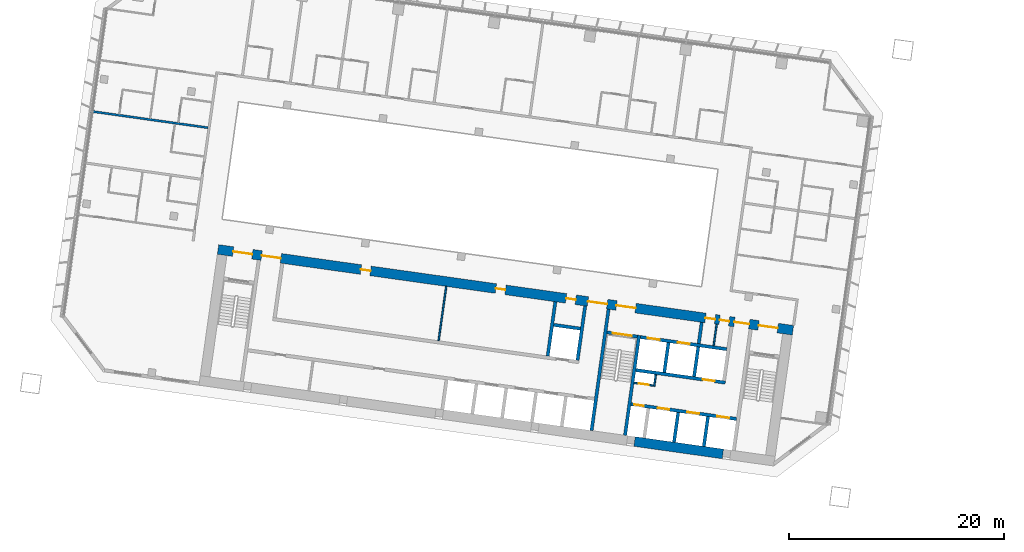
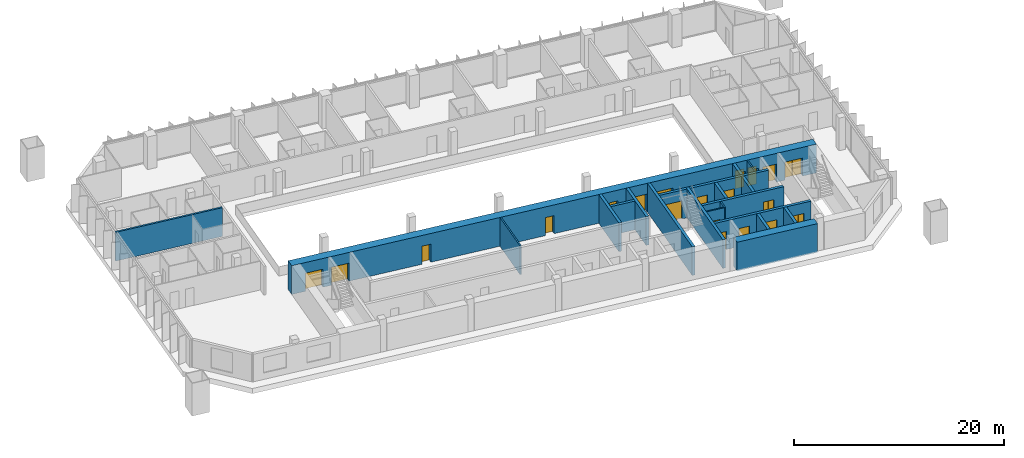
# One storey, part 15 of 25: 21 walls, 20 doors, 20 openings.
"""IFC4 building model written with IfcOpenShell, lengths in metres."""

from ifc_helpers import new_model, si_unit, direction, frame, frame_2d, origin, place, context, subcontext, project, spatial, rectangle, extrude, material, layer, layer_set, type_object, element, fill, save


model = new_model("IFC4")

# Units and contexts
model_context = context("Model", 3, precision=1e-05, world=origin(), true_north=direction((0.0, 1.0)))
body_context = subcontext(model_context, "Body", "Model", "MODEL_VIEW")
ifc_project = project(units=[si_unit("LENGTHUNIT", "METRE"), si_unit("AREAUNIT", "SQUARE_METRE"), si_unit("VOLUMEUNIT", "CUBIC_METRE"), si_unit("PLANEANGLEUNIT", "RADIAN"), si_unit("MASSUNIT", "GRAM", prefix="KILO")], contexts=[model_context])

# Site, building, storey
site_placement = place(None, origin())
site = spatial("IfcSite", under=ifc_project, at=site_placement, CompositionType="ELEMENT")
building_placement = place(site_placement, origin())
building = spatial("IfcBuilding", under=site, at=building_placement, Name="Mirante Cascada Hotel Towers", CompositionType="ELEMENT")
storey_placement = place(building_placement, frame((0.0, 0.0, 73.7)))
storey = spatial("IfcBuildingStorey", under=building, at=storey_placement, Name="L15", CompositionType="ELEMENT", Elevation=73.7)

# Walls
ifc_material_1 = material(Name="Fire-rated plasterboard on metal studs")
ifc_layer_1 = layer(ifc_material_1, 0.2)
ifc_layer_set_1 = layer_set([ifc_layer_1], Name="Compartment wall 200 EI 120")
wall_type_1 = type_object("IfcWallType", Name="Compartment wall 200 EI 120", PredefinedType="PARTITIONING", material=ifc_layer_set_1)
wall_1_placement = place(storey_placement, frame((-89.7337, 11.2758, 0.0), z_axis=(0.0, 0.0, 1.0), x_axis=(-0.990268, 0.1391733, 0.0)))
element("IfcWall", 1, at=wall_1_placement, inside=storey, type_object=wall_type_1, Name="Wall 1-L15-12", PredefinedType="PARTITIONING", context=body_context, shape_type="SweptSolid", body=[
    extrude(rectangle(XDim=11.0, YDim=0.2, at=frame_2d((5.5, 0.0))), origin(), (0.0, 0.0, 1.0), 3.35),
])
ifc_material_2 = material(Name="Masonry block", Category="masonry")
ifc_layer_2 = layer(ifc_material_2, 0.15)
ifc_layer_set_2 = layer_set([ifc_layer_2], Name="Core room partition 150 block EI 30")
wall_type_2 = type_object("IfcWallType", Name="Core room partition 150 block EI 30", PredefinedType="PARTITIONING", material=ifc_layer_set_2)
wall_2_placement = place(storey_placement, frame((-48.2295, -12.793, 0.0), z_axis=(0.0, 0.0, 1.0), x_axis=(0.1391935, 0.9902652, 0.0)))
element("IfcWall", 2, at=wall_2_placement, inside=storey, type_object=wall_type_2, Name="Core wall partition T1 L15 2", PredefinedType="PARTITIONING", context=body_context, shape_type="SweptSolid", body=[
    extrude(rectangle(XDim=1.1251, YDim=0.15, at=frame_2d((0.5626, 0.0))), origin(), (0.0, 0.0, 1.0), 3.35),
])

# Wall, opening, door
wall_3_placement = place(storey_placement, frame((-48.2933, -12.7083, 0.0), z_axis=(0.0, 0.0, 1.0), x_axis=(-0.990268, 0.1391734, 0.0)))
wall_3 = element("IfcWall", 3, at=wall_3_placement, inside=storey, type_object=wall_type_2, Name="Core wall partition T1 L15 3", PredefinedType="PARTITIONING", context=body_context, shape_type="SweptSolid", body=[
    extrude(rectangle(XDim=1.8251, YDim=0.15, at=frame_2d((0.9126, 0.0))), origin(), (0.0, 0.0, 1.0), 3.35),
])
opening_1_placement = place(wall_3_placement, frame((0.4625, 0.0, 0.0)))
opening_1 = element("IfcOpeningElement", 4, at=opening_1_placement, cuts=wall_3, Name="Opening D1-15-C23", PredefinedType="OPENING", context=body_context, shape_type="SweptSolid", body=[
    extrude(rectangle(XDim=0.9, YDim=2.1, at=frame_2d((0.45, 1.05))), frame((0.0, 0.075, 0.0), z_axis=(0.0, -1.0, 0.0), x_axis=(1.0, 0.0, 0.0)), (0.0, 0.0, 1.0), 0.15),
])
ifc_material_3 = material(Name="Hollow metal fire door leaf")
door_type_1 = type_object("IfcDoorType", Name="Fire door 900x2100 FD60", OperationType="NOTDEFINED", PredefinedType="DOOR", material=ifc_material_3)
door_1_placement = place(opening_1_placement, origin())
door_1 = element("IfcDoor", 5, at=door_1_placement, inside=storey, type_object=door_type_1, Name="Riser door T1 L15 23", OperationType="SINGLE_SWING_LEFT", OverallHeight=2.1, OverallWidth=0.9, PredefinedType="DOOR", context=body_context, shape_type="SweptSolid", body=[
    extrude(rectangle(XDim=0.9, YDim=2.1, at=frame_2d((0.45, 1.05))), frame((0.0, 0.025, 0.0), z_axis=(0.0, -1.0, 0.0), x_axis=(1.0, 0.0, 0.0)), (0.0, 0.0, 1.0), 0.05),
])
fill(opening_1, door_1)

# Walls
wall_4_placement = place(storey_placement, frame((-42.6979, -9.0009, 0.0), z_axis=(0.0, 0.0, 1.0), x_axis=(0.1391529, 0.9902709, 0.0)))
element("IfcWall", 6, at=wall_4_placement, inside=storey, type_object=wall_type_2, Name="Core wall partition T1 L15 4", PredefinedType="PARTITIONING", context=body_context, shape_type="SweptSolid", body=[
    extrude(rectangle(XDim=2.0, YDim=0.15, at=frame_2d((1.0, 0.0))), origin(), (0.0, 0.0, 1.0), 3.35),
])
wall_5_placement = place(storey_placement, frame((-68.2822, -8.5358, 0.0), z_axis=(0.0, 0.0, 1.0), x_axis=(0.1391755, 0.9902677, 0.0)))
element("IfcWall", 7, at=wall_5_placement, inside=storey, type_object=wall_type_2, Name="Core wall partition T1 L15 6", PredefinedType="PARTITIONING", context=body_context, shape_type="SweptSolid", body=[
    extrude(rectangle(XDim=5.1, YDim=0.15, at=frame_2d((2.55, 0.0))), origin(), (0.0, 0.0, 1.0), 3.35),
])
ifc_material_4 = material(Name="Masonry block", Category="masonry")
ifc_layer_3 = layer(ifc_material_4, 0.3)
ifc_layer_set_3 = layer_set([ifc_layer_3], Name="Core wall 300 block EI 120")
wall_type_3 = type_object("IfcWallType", Name="Core wall 300 block EI 120", PredefinedType="PARTITIONING", material=ifc_layer_set_3)
wall_6_placement = place(storey_placement, frame((-44.0843, -8.8061, 0.0), z_axis=(0.0, 0.0, 1.0), x_axis=(0.1391951, 0.990265, 0.0)))
element("IfcWall", 8, at=wall_6_placement, inside=storey, type_object=wall_type_3, Name="Core wall partition T1 L15 1", PredefinedType="PARTITIONING", context=body_context, shape_type="SweptSolid", body=[
    extrude(rectangle(XDim=2.0001, YDim=0.3, at=frame_2d((1.0001, 0.0))), origin(), (0.0, 0.0, 1.0), 3.35),
])
ifc_material_5 = material(Name="Concrete C50/60", Category="concrete")
ifc_layer_4 = layer(ifc_material_5, 0.3)
ifc_layer_set_4 = layer_set([ifc_layer_4], Name="RC core wall 300 C50/60")
wall_type_4 = type_object("IfcWallType", Name="RC core wall 300 C50/60", PredefinedType="SHEAR", material=ifc_layer_set_4)
wall_7_placement = place(storey_placement, frame((-50.938, -17.3352, 0.0), z_axis=(0.0, 0.0, 1.0), x_axis=(0.1391706, 0.9902684, 0.0)))
element("IfcWall", 9, at=wall_7_placement, inside=storey, type_object=wall_type_4, Name="Core wall T1:L15:6", PredefinedType="SHEAR", context=body_context, shape_type="SweptSolid", body=[
    extrude(rectangle(XDim=9.4, YDim=0.3, at=frame_2d((4.7, 0.0))), origin(), (0.0, 0.0, 1.0), 3.35),
])
wall_8_placement = place(storey_placement, frame((-54.0574, -16.8968, 0.0), z_axis=(0.0, 0.0, 1.0), x_axis=(0.1391761, 0.9902677, 0.0)))
element("IfcWall", 10, at=wall_8_placement, inside=storey, type_object=wall_type_4, Name="Core wall T1:L15:7", PredefinedType="SHEAR", context=body_context, shape_type="SweptSolid", body=[
    extrude(rectangle(XDim=11.3999, YDim=0.3, at=frame_2d((5.7, 0.0))), origin(), (0.0, 0.0, 1.0), 3.35),
])

# Wall, opening, door
wall_9_placement = place(storey_placement, frame((-49.7992, -8.1544, 0.0), z_axis=(0.0, 0.0, 1.0), x_axis=(-0.9902656, 0.1391909, 0.0)))
wall_9 = element("IfcWall", 11, at=wall_9_placement, inside=storey, type_object=wall_type_4, Name="Core wall T1:L15:10", PredefinedType="SHEAR", context=body_context, shape_type="SweptSolid", body=[
    extrude(rectangle(XDim=2.85, YDim=0.3, at=frame_2d((1.425, 0.0))), origin(), (0.0, 0.0, 1.0), 3.35),
])
opening_2_placement = place(wall_9_placement, frame((0.525, 0.0, 0.0)))
opening_2 = element("IfcOpeningElement", 12, at=opening_2_placement, cuts=wall_9, Name="Opening D1-15-C15", PredefinedType="OPENING", context=body_context, shape_type="SweptSolid", body=[
    extrude(rectangle(XDim=1.8, YDim=2.1, at=frame_2d((0.9, 1.05))), frame((0.0, 0.15, 0.0), z_axis=(0.0, -1.0, 0.0), x_axis=(1.0, 0.0, 0.0)), (0.0, 0.0, 1.0), 0.3),
])
ifc_material_6 = material(Name="Hollow metal fire door leaf")
door_type_2 = type_object("IfcDoorType", Name="Double fire door 1800x2100 FD60", OperationType="DOUBLE_DOOR_SINGLE_SWING", PredefinedType="DOOR", material=ifc_material_6)
door_2_placement = place(opening_2_placement, origin())
door_2 = element("IfcDoor", 13, at=door_2_placement, inside=storey, type_object=door_type_2, Name="Stair door T1 L15 15", OperationType="DOUBLE_DOOR_SINGLE_SWING", OverallHeight=2.1, OverallWidth=1.8, PredefinedType="DOOR", context=body_context, shape_type="SweptSolid", body=[
    extrude(rectangle(XDim=0.895, YDim=2.1, at=frame_2d((0.4475, 1.05))), frame((0.0, 0.025, 0.0), z_axis=(0.0, -1.0, 0.0), x_axis=(1.0, 0.0, 0.0)), (0.0, 0.0, 1.0), 0.05),
    extrude(rectangle(XDim=0.895, YDim=2.1, at=frame_2d((1.3525, 1.05))), frame((0.0, 0.025, 0.0), z_axis=(0.0, -1.0, 0.0), x_axis=(1.0, 0.0, 0.0)), (0.0, 0.0, 1.0), 0.05),
])
fill(opening_2, door_2)

# Wall, openings, doors
wall_10_placement = place(storey_placement, frame((-40.5753, -15.8126, 0.0), z_axis=(0.0, 0.0, 1.0), x_axis=(-0.9902682, 0.1391725, 0.0)))
wall_10 = element("IfcWall", 14, at=wall_10_placement, inside=storey, type_object=wall_type_4, Name="Core wall T1:L15:12", PredefinedType="SHEAR", context=body_context, shape_type="SweptSolid", body=[
    extrude(rectangle(XDim=9.8999, YDim=0.3, at=frame_2d((4.95, 0.0))), origin(), (0.0, 0.0, 1.0), 3.35),
])
opening_3_placement = place(wall_10_placement, frame((0.7, 0.0, 0.0)))
opening_3 = element("IfcOpeningElement", 15, at=opening_3_placement, cuts=wall_10, Name="Opening LD", PredefinedType="OPENING", context=body_context, shape_type="SweptSolid", body=[
    extrude(rectangle(XDim=1.1, YDim=2.1, at=frame_2d((0.55, 1.05))), frame((0.0, 0.15, 0.0), z_axis=(0.0, -1.0, 0.0), x_axis=(1.0, 0.0, 0.0)), (0.0, 0.0, 1.0), 0.3),
])
opening_4_placement = place(wall_10_placement, frame((3.5, 0.0, 0.0)))
opening_4 = element("IfcOpeningElement", 16, at=opening_4_placement, cuts=wall_10, Name="Opening LD", PredefinedType="OPENING", context=body_context, shape_type="SweptSolid", body=[
    extrude(rectangle(XDim=1.1, YDim=2.1, at=frame_2d((0.55, 1.05))), frame((0.0, 0.15, 0.0), z_axis=(0.0, -1.0, 0.0), x_axis=(1.0, 0.0, 0.0)), (0.0, 0.0, 1.0), 0.3),
])
opening_5_placement = place(wall_10_placement, frame((6.3, 0.0, 0.0)))
opening_5 = element("IfcOpeningElement", 17, at=opening_5_placement, cuts=wall_10, Name="Opening LD", PredefinedType="OPENING", context=body_context, shape_type="SweptSolid", body=[
    extrude(rectangle(XDim=1.1, YDim=2.1, at=frame_2d((0.55, 1.05))), frame((0.0, 0.15, 0.0), z_axis=(0.0, -1.0, 0.0), x_axis=(1.0, 0.0, 0.0)), (0.0, 0.0, 1.0), 0.3),
])
opening_6_placement = place(wall_10_placement, frame((8.7, 0.0, 0.0)))
opening_6 = element("IfcOpeningElement", 18, at=opening_6_placement, cuts=wall_10, Name="Opening D1-15-C22", PredefinedType="OPENING", context=body_context, shape_type="SweptSolid", body=[
    extrude(rectangle(XDim=0.9, YDim=2.1, at=frame_2d((0.45, 1.05))), frame((0.0, 0.15, 0.0), z_axis=(0.0, -1.0, 0.0), x_axis=(1.0, 0.0, 0.0)), (0.0, 0.0, 1.0), 0.3),
])
door_3_placement = place(opening_6_placement, origin())
door_3 = element("IfcDoor", 19, at=door_3_placement, inside=storey, type_object=door_type_1, Name="Riser door T1 L15 22", OperationType="SINGLE_SWING_LEFT", OverallHeight=2.1, OverallWidth=0.9, PredefinedType="DOOR", context=body_context, shape_type="SweptSolid", body=[
    extrude(rectangle(XDim=0.9, YDim=2.1, at=frame_2d((0.45, 1.05))), frame((0.0, 0.025, 0.0), z_axis=(0.0, -1.0, 0.0), x_axis=(1.0, 0.0, 0.0)), (0.0, 0.0, 1.0), 0.05),
])
fill(opening_6, door_3)
ifc_material_7 = material(Name="Stainless steel", Category="steel")
door_type_3 = type_object("IfcDoorType", Name="Lift landing door 1100x2100 EI 120", OperationType="DOUBLE_DOOR_SLIDING", PredefinedType="DOOR", material=ifc_material_7)
door_4_placement = place(opening_3_placement, origin())
door_4 = element("IfcDoor", 20, at=door_4_placement, inside=storey, type_object=door_type_3, Name="Lift landing door HR1-1 L15", OperationType="DOUBLE_DOOR_SLIDING", OverallHeight=2.1, OverallWidth=1.1, PredefinedType="DOOR", context=body_context, shape_type="SweptSolid", body=[
    extrude(rectangle(XDim=0.545, YDim=2.1, at=frame_2d((0.2725, 1.05))), frame((0.0, 0.025, 0.0), z_axis=(0.0, -1.0, 0.0), x_axis=(1.0, 0.0, 0.0)), (0.0, 0.0, 1.0), 0.05),
    extrude(rectangle(XDim=0.545, YDim=2.1, at=frame_2d((0.8275, 1.05))), frame((0.0, 0.025, 0.0), z_axis=(0.0, -1.0, 0.0), x_axis=(1.0, 0.0, 0.0)), (0.0, 0.0, 1.0), 0.05),
])
fill(opening_3, door_4)
door_5_placement = place(opening_4_placement, origin())
door_5 = element("IfcDoor", 21, at=door_5_placement, inside=storey, type_object=door_type_3, Name="Lift landing door HR1-2 L15", OperationType="DOUBLE_DOOR_SLIDING", OverallHeight=2.1, OverallWidth=1.1, PredefinedType="DOOR", context=body_context, shape_type="SweptSolid", body=[
    extrude(rectangle(XDim=0.545, YDim=2.1, at=frame_2d((0.2725, 1.05))), frame((0.0, 0.025, 0.0), z_axis=(0.0, -1.0, 0.0), x_axis=(1.0, 0.0, 0.0)), (0.0, 0.0, 1.0), 0.05),
    extrude(rectangle(XDim=0.545, YDim=2.1, at=frame_2d((0.8275, 1.05))), frame((0.0, 0.025, 0.0), z_axis=(0.0, -1.0, 0.0), x_axis=(1.0, 0.0, 0.0)), (0.0, 0.0, 1.0), 0.05),
])
fill(opening_4, door_5)
door_6_placement = place(opening_5_placement, origin())
door_6 = element("IfcDoor", 22, at=door_6_placement, inside=storey, type_object=door_type_3, Name="Lift landing door HR1-3 L15", OperationType="DOUBLE_DOOR_SLIDING", OverallHeight=2.1, OverallWidth=1.1, PredefinedType="DOOR", context=body_context, shape_type="SweptSolid", body=[
    extrude(rectangle(XDim=0.545, YDim=2.1, at=frame_2d((0.2725, 1.05))), frame((0.0, 0.025, 0.0), z_axis=(0.0, -1.0, 0.0), x_axis=(1.0, 0.0, 0.0)), (0.0, 0.0, 1.0), 0.05),
    extrude(rectangle(XDim=0.545, YDim=2.1, at=frame_2d((0.8275, 1.05))), frame((0.0, 0.025, 0.0), z_axis=(0.0, -1.0, 0.0), x_axis=(1.0, 0.0, 0.0)), (0.0, 0.0, 1.0), 0.05),
])
fill(opening_5, door_6)

# Wall, opening, door
wall_11_placement = place(storey_placement, frame((-41.6153, -12.435, 0.0), z_axis=(0.0, 0.0, 1.0), x_axis=(-0.9902691, 0.139166, 0.0)))
wall_11 = element("IfcWall", 23, at=wall_11_placement, inside=storey, type_object=wall_type_4, Name="Core wall T1:L15:13", PredefinedType="SHEAR", context=body_context, shape_type="SweptSolid", body=[
    extrude(rectangle(XDim=8.4, YDim=0.3, at=frame_2d((4.2, 0.0))), origin(), (0.0, 0.0, 1.0), 3.35),
])
opening_7_placement = place(wall_11_placement, frame((1.0, 0.0, 0.0)))
opening_7 = element("IfcOpeningElement", 24, at=opening_7_placement, cuts=wall_11, Name="Opening LD", PredefinedType="OPENING", context=body_context, shape_type="SweptSolid", body=[
    extrude(rectangle(XDim=1.1, YDim=2.1, at=frame_2d((0.55, 1.05))), frame((0.0, 0.15, 0.0), z_axis=(0.0, -1.0, 0.0), x_axis=(1.0, 0.0, 0.0)), (0.0, 0.0, 1.0), 0.3),
])
door_7_placement = place(opening_7_placement, origin())
door_7 = element("IfcDoor", 25, at=door_7_placement, inside=storey, type_object=door_type_3, Name="Lift landing door HR1-4 L15", OperationType="DOUBLE_DOOR_SLIDING", OverallHeight=2.1, OverallWidth=1.1, PredefinedType="DOOR", context=body_context, shape_type="SweptSolid", body=[
    extrude(rectangle(XDim=0.545, YDim=2.1, at=frame_2d((0.2725, 1.05))), frame((0.0, 0.025, 0.0), z_axis=(0.0, -1.0, 0.0), x_axis=(1.0, 0.0, 0.0)), (0.0, 0.0, 1.0), 0.05),
    extrude(rectangle(XDim=0.545, YDim=2.1, at=frame_2d((0.8275, 1.05))), frame((0.0, 0.025, 0.0), z_axis=(0.0, -1.0, 0.0), x_axis=(1.0, 0.0, 0.0)), (0.0, 0.0, 1.0), 0.05),
])
fill(opening_7, door_7)

# Wall, openings, doors
wall_12_placement = place(storey_placement, frame((-41.481, -9.3234, 0.0), z_axis=(0.0, 0.0, 1.0), x_axis=(-0.9902679, 0.1391741, 0.0)))
wall_12 = element("IfcWall", 26, at=wall_12_placement, inside=storey, type_object=wall_type_4, Name="Core wall T1:L15:14", PredefinedType="SHEAR", context=body_context, shape_type="SweptSolid", body=[
    extrude(rectangle(XDim=8.0999, YDim=0.3, at=frame_2d((4.05, 0.0))), origin(), (0.0, 0.0, 1.0), 3.35),
])
opening_8_placement = place(wall_12_placement, frame((3.5, 0.0, 0.0)))
opening_8 = element("IfcOpeningElement", 27, at=opening_8_placement, cuts=wall_12, Name="Opening LD", PredefinedType="OPENING", context=body_context, shape_type="SweptSolid", body=[
    extrude(rectangle(XDim=1.1, YDim=2.1, at=frame_2d((0.55, 1.05))), frame((0.0, 0.15, 0.0), z_axis=(0.0, -1.0, 0.0), x_axis=(1.0, 0.0, 0.0)), (0.0, 0.0, 1.0), 0.3),
])
opening_9_placement = place(wall_12_placement, frame((6.3, 0.0, 0.0)))
opening_9 = element("IfcOpeningElement", 28, at=opening_9_placement, cuts=wall_12, Name="Opening LD", PredefinedType="OPENING", context=body_context, shape_type="SweptSolid", body=[
    extrude(rectangle(XDim=1.1, YDim=2.1, at=frame_2d((0.55, 1.05))), frame((0.0, 0.15, 0.0), z_axis=(0.0, -1.0, 0.0), x_axis=(1.0, 0.0, 0.0)), (0.0, 0.0, 1.0), 0.3),
])
door_8_placement = place(opening_8_placement, origin())
door_8 = element("IfcDoor", 29, at=door_8_placement, inside=storey, type_object=door_type_3, Name="Lift landing door FF1 L15", OperationType="DOUBLE_DOOR_SLIDING", OverallHeight=2.1, OverallWidth=1.1, PredefinedType="DOOR", context=body_context, shape_type="SweptSolid", body=[
    extrude(rectangle(XDim=0.545, YDim=2.1, at=frame_2d((0.2725, 1.05))), frame((0.0, 0.025, 0.0), z_axis=(0.0, -1.0, 0.0), x_axis=(1.0, 0.0, 0.0)), (0.0, 0.0, 1.0), 0.05),
    extrude(rectangle(XDim=0.545, YDim=2.1, at=frame_2d((0.8275, 1.05))), frame((0.0, 0.025, 0.0), z_axis=(0.0, -1.0, 0.0), x_axis=(1.0, 0.0, 0.0)), (0.0, 0.0, 1.0), 0.05),
])
fill(opening_8, door_8)
door_9_placement = place(opening_9_placement, origin())
door_9 = element("IfcDoor", 30, at=door_9_placement, inside=storey, type_object=door_type_3, Name="Lift landing door FF2 L15", OperationType="DOUBLE_DOOR_SLIDING", OverallHeight=2.1, OverallWidth=1.1, PredefinedType="DOOR", context=body_context, shape_type="SweptSolid", body=[
    extrude(rectangle(XDim=0.545, YDim=2.1, at=frame_2d((0.2725, 1.05))), frame((0.0, 0.025, 0.0), z_axis=(0.0, -1.0, 0.0), x_axis=(1.0, 0.0, 0.0)), (0.0, 0.0, 1.0), 0.05),
    extrude(rectangle(XDim=0.545, YDim=2.1, at=frame_2d((0.8275, 1.05))), frame((0.0, 0.025, 0.0), z_axis=(0.0, -1.0, 0.0), x_axis=(1.0, 0.0, 0.0)), (0.0, 0.0, 1.0), 0.05),
])
fill(opening_9, door_9)

# Walls
wall_13_placement = place(storey_placement, frame((-43.61, -18.3651, 0.0), z_axis=(0.0, 0.0, 1.0), x_axis=(0.1391459, 0.9902719, 0.0)))
element("IfcWall", 31, at=wall_13_placement, inside=storey, type_object=wall_type_4, Name="Core wall T1:L15:15", PredefinedType="SHEAR", context=body_context, shape_type="SweptSolid", body=[
    extrude(rectangle(XDim=2.7999, YDim=0.3, at=frame_2d((1.4, 0.0))), origin(), (0.0, 0.0, 1.0), 3.35),
])
for number, where, z_axis, x_axis, name in (
    (32, (-46.3828, -17.9754, 0.0), (0.0, 0.0, 1.0), (0.139181, 0.990267, 0.0), "Core wall T1:L15:16"),
    (33, (-44.5157, -11.8759, 0.0), (0.0, 0.0, 1.0), (0.139181, 0.990267, 0.0), "Core wall T1:L15:18"),
    (34, (-47.2885, -11.4862, 0.0), (0.0, 0.0, 1.0), (0.139181, 0.990267, 0.0), "Core wall T1:L15:19"),
):
    element("IfcWall", number, at=place(storey_placement, frame(where, z_axis=z_axis, x_axis=x_axis)), inside=storey, type_object=wall_type_4, Name=name, PredefinedType="SHEAR", context=body_context, shape_type="SweptSolid", body=[
        extrude(rectangle(XDim=2.8, YDim=0.3, at=frame_2d((1.4, 0.0))), origin(), (0.0, 0.0, 1.0), 3.35),
    ])
for number, where, z_axis, x_axis, name in (
    (35, (-55.3592, -10.352, 0.0), (0.0, 0.0, 1.0), (0.1391755, 0.9902677, 0.0), "Core wall T1:L15:33"),
    (36, (-58.1319, -9.9623, 0.0), (0.0, 0.0, 1.0), (0.1391755, 0.9902677, 0.0), "Core wall T1:L15:35"),
):
    element("IfcWall", number, at=place(storey_placement, frame(where, z_axis=z_axis, x_axis=x_axis)), inside=storey, type_object=wall_type_4, Name=name, PredefinedType="SHEAR", context=body_context, shape_type="SweptSolid", body=[
        extrude(rectangle(XDim=5.1, YDim=0.3, at=frame_2d((2.55, 0.0))), origin(), (0.0, 0.0, 1.0), 3.35),
    ])
wall_14_placement = place(storey_placement, frame((-55.0971, -7.4098, 0.0), z_axis=(0.0, 0.0, 1.0), x_axis=(-0.9902701, 0.1391586, 0.0)))
element("IfcWall", 37, at=wall_14_placement, inside=storey, type_object=wall_type_4, Name="Core wall T1:L15:36", PredefinedType="SHEAR", context=body_context, shape_type="SweptSolid", body=[
    extrude(rectangle(XDim=2.5, YDim=0.3, at=frame_2d((1.25, 0.0))), origin(), (0.0, 0.0, 1.0), 3.35),
])
ifc_material_8 = material(Name="Concrete C50/60", Category="concrete")
ifc_layer_5 = layer(ifc_material_8, 0.9)
ifc_layer_set_5 = layer_set([ifc_layer_5], Name="RC core wall 900 C50/60")
wall_type_5 = type_object("IfcWallType", Name="RC core wall 900 C50/60", PredefinedType="SHEAR", material=ifc_layer_set_5)
wall_15_placement = place(storey_placement, frame((-41.8407, -19.0682, 0.0), z_axis=(0.0, 0.0, 1.0), x_axis=(-0.9902686, 0.1391692, 0.0)))
element("IfcWall", 38, at=wall_15_placement, inside=storey, type_object=wall_type_5, Name="Core wall T1:L15:1.2", PredefinedType="SHEAR", context=body_context, shape_type="SweptSolid", body=[
    extrude(rectangle(XDim=8.3, YDim=0.9, at=frame_2d((4.15, 0.0))), origin(), (0.0, 0.0, 1.0), 3.35),
])

# Wall, openings, doors
wall_16_placement = place(storey_placement, frame((-35.326, -7.5629, 0.0), z_axis=(0.0, 0.0, 1.0), x_axis=(-0.9902679, 0.139174, 0.0)))
wall_16 = element("IfcWall", 39, at=wall_16_placement, inside=storey, type_object=wall_type_5, Name="Core wall T1:L15:2", PredefinedType="SHEAR", context=body_context, shape_type="SweptSolid", body=[
    extrude(rectangle(XDim=54.0, YDim=0.9, at=frame_2d((27.0, 0.0))), origin(), (0.0, 0.0, 1.0), 3.35),
])
opening_10_placement = place(wall_16_placement, frame((1.425, 0.0, 0.0)))
opening_10 = element("IfcOpeningElement", 40, at=opening_10_placement, cuts=wall_16, Name="Opening D1-15-C14", PredefinedType="OPENING", context=body_context, shape_type="SweptSolid", body=[
    extrude(rectangle(XDim=1.8, YDim=2.1, at=frame_2d((0.9, 1.05))), frame((0.0, 0.45, 0.0), z_axis=(0.0, -1.0, 0.0), x_axis=(1.0, 0.0, 0.0)), (0.0, 0.0, 1.0), 0.9),
])
opening_11_placement = place(wall_16_placement, frame((14.775, 0.0, 0.0)))
opening_11 = element("IfcOpeningElement", 41, at=opening_11_placement, cuts=wall_16, Name="Opening D1-15-C16", PredefinedType="OPENING", context=body_context, shape_type="SweptSolid", body=[
    extrude(rectangle(XDim=1.8, YDim=2.1, at=frame_2d((0.9, 1.05))), frame((0.0, 0.45, 0.0), z_axis=(0.0, -1.0, 0.0), x_axis=(1.0, 0.0, 0.0)), (0.0, 0.0, 1.0), 0.9),
])
opening_12_placement = place(wall_16_placement, frame((50.775, 0.0, 0.0)))
opening_12 = element("IfcOpeningElement", 42, at=opening_12_placement, cuts=wall_16, Name="Opening D1-15-C18", PredefinedType="OPENING", context=body_context, shape_type="SweptSolid", body=[
    extrude(rectangle(XDim=1.8, YDim=2.1, at=frame_2d((0.9, 1.05))), frame((0.0, 0.45, 0.0), z_axis=(0.0, -1.0, 0.0), x_axis=(1.0, 0.0, 0.0)), (0.0, 0.0, 1.0), 0.9),
])
opening_13_placement = place(wall_16_placement, frame((4.1, 0.0, 0.0)))
opening_13 = element("IfcOpeningElement", 43, at=opening_13_placement, cuts=wall_16, Name="Opening D1-15-C19", PredefinedType="OPENING", context=body_context, shape_type="SweptSolid", body=[
    extrude(rectangle(XDim=1.4, YDim=2.1, at=frame_2d((0.7, 1.05))), frame((0.0, 0.45, 0.0), z_axis=(0.0, -1.0, 0.0), x_axis=(1.0, 0.0, 0.0)), (0.0, 0.0, 1.0), 0.9),
])
opening_14_placement = place(wall_16_placement, frame((17.45, 0.0, 0.0)))
opening_14 = element("IfcOpeningElement", 44, at=opening_14_placement, cuts=wall_16, Name="Opening D1-15-C20", PredefinedType="OPENING", context=body_context, shape_type="SweptSolid", body=[
    extrude(rectangle(XDim=1.8, YDim=2.1, at=frame_2d((0.9, 1.05))), frame((0.0, 0.45, 0.0), z_axis=(0.0, -1.0, 0.0), x_axis=(1.0, 0.0, 0.0)), (0.0, 0.0, 1.0), 0.9),
])
opening_15_placement = place(wall_16_placement, frame((48.1, 0.0, 0.0)))
opening_15 = element("IfcOpeningElement", 45, at=opening_15_placement, cuts=wall_16, Name="Opening D1-15-C21", PredefinedType="OPENING", context=body_context, shape_type="SweptSolid", body=[
    extrude(rectangle(XDim=1.8, YDim=2.1, at=frame_2d((0.9, 1.05))), frame((0.0, 0.45, 0.0), z_axis=(0.0, -1.0, 0.0), x_axis=(1.0, 0.0, 0.0)), (0.0, 0.0, 1.0), 0.9),
])
opening_16_placement = place(wall_16_placement, frame((5.9875, 0.0, 0.0)))
opening_16 = element("IfcOpeningElement", 46, at=opening_16_placement, cuts=wall_16, Name="Opening D1-15-C24", PredefinedType="OPENING", context=body_context, shape_type="SweptSolid", body=[
    extrude(rectangle(XDim=0.9, YDim=2.1, at=frame_2d((0.45, 1.05))), frame((0.0, 0.45, 0.0), z_axis=(0.0, -1.0, 0.0), x_axis=(1.0, 0.0, 0.0)), (0.0, 0.0, 1.0), 0.9),
])
opening_17_placement = place(wall_16_placement, frame((7.3125, 0.0, 0.0)))
opening_17 = element("IfcOpeningElement", 47, at=opening_17_placement, cuts=wall_16, Name="Opening D1-15-C25", PredefinedType="OPENING", context=body_context, shape_type="SweptSolid", body=[
    extrude(rectangle(XDim=0.9, YDim=2.1, at=frame_2d((0.45, 1.05))), frame((0.0, 0.45, 0.0), z_axis=(0.0, -1.0, 0.0), x_axis=(1.0, 0.0, 0.0)), (0.0, 0.0, 1.0), 0.9),
])
opening_18_placement = place(wall_16_placement, frame((20.4, 0.0, 0.0)))
opening_18 = element("IfcOpeningElement", 48, at=opening_18_placement, cuts=wall_16, Name="Opening D1-15-C28", PredefinedType="OPENING", context=body_context, shape_type="SweptSolid", body=[
    extrude(rectangle(XDim=0.9, YDim=2.1, at=frame_2d((0.45, 1.05))), frame((0.0, 0.45, 0.0), z_axis=(0.0, -1.0, 0.0), x_axis=(1.0, 0.0, 0.0)), (0.0, 0.0, 1.0), 0.9),
])
opening_19_placement = place(wall_16_placement, frame((27.0, 0.0, 0.0)))
opening_19 = element("IfcOpeningElement", 49, at=opening_19_placement, cuts=wall_16, Name="Opening D1-15-C29", PredefinedType="OPENING", context=body_context, shape_type="SweptSolid", body=[
    extrude(rectangle(XDim=0.9, YDim=2.1, at=frame_2d((0.45, 1.05))), frame((0.0, 0.45, 0.0), z_axis=(0.0, -1.0, 0.0), x_axis=(1.0, 0.0, 0.0)), (0.0, 0.0, 1.0), 0.9),
])
opening_20_placement = place(wall_16_placement, frame((39.675, 0.0, 0.0)))
opening_20 = element("IfcOpeningElement", 50, at=opening_20_placement, cuts=wall_16, Name="Opening D1-15-C30", PredefinedType="OPENING", context=body_context, shape_type="SweptSolid", body=[
    extrude(rectangle(XDim=0.9, YDim=2.1, at=frame_2d((0.45, 1.05))), frame((0.0, 0.45, 0.0), z_axis=(0.0, -1.0, 0.0), x_axis=(1.0, 0.0, 0.0)), (0.0, 0.0, 1.0), 0.9),
])
ifc_material_9 = material(Name="Hollow metal fire door leaf")
door_type_4 = type_object("IfcDoorType", Name="Double fire door 1400x2100 FD60", OperationType="DOUBLE_DOOR_SINGLE_SWING", PredefinedType="DOOR", material=ifc_material_9)
door_10_placement = place(opening_13_placement, frame((1.4, 0.0, 0.0), z_axis=(0.0, 0.0, 1.0), x_axis=(-1.0, 0.0, 0.0)))
door_10 = element("IfcDoor", 51, at=door_10_placement, inside=storey, type_object=door_type_4, Name="Exit door to gallery T1 L15 19", OperationType="DOUBLE_DOOR_SINGLE_SWING", OverallHeight=2.1, OverallWidth=1.4, PredefinedType="DOOR", context=body_context, shape_type="SweptSolid", body=[
    extrude(rectangle(XDim=0.695, YDim=2.1, at=frame_2d((0.3475, 1.05))), frame((0.0, 0.025, 0.0), z_axis=(0.0, -1.0, 0.0), x_axis=(1.0, 0.0, 0.0)), (0.0, 0.0, 1.0), 0.05),
    extrude(rectangle(XDim=0.695, YDim=2.1, at=frame_2d((1.0525, 1.05))), frame((0.0, 0.025, 0.0), z_axis=(0.0, -1.0, 0.0), x_axis=(1.0, 0.0, 0.0)), (0.0, 0.0, 1.0), 0.05),
])
fill(opening_13, door_10)
door_11_placement = place(opening_10_placement, origin())
door_11 = element("IfcDoor", 52, at=door_11_placement, inside=storey, type_object=door_type_2, Name="Exit door to gallery T1 L15 14", OperationType="DOUBLE_DOOR_SINGLE_SWING", OverallHeight=2.1, OverallWidth=1.8, PredefinedType="DOOR", context=body_context, shape_type="SweptSolid", body=[
    extrude(rectangle(XDim=0.895, YDim=2.1, at=frame_2d((0.4475, 1.05))), frame((0.0, 0.025, 0.0), z_axis=(0.0, -1.0, 0.0), x_axis=(1.0, 0.0, 0.0)), (0.0, 0.0, 1.0), 0.05),
    extrude(rectangle(XDim=0.895, YDim=2.1, at=frame_2d((1.3525, 1.05))), frame((0.0, 0.025, 0.0), z_axis=(0.0, -1.0, 0.0), x_axis=(1.0, 0.0, 0.0)), (0.0, 0.0, 1.0), 0.05),
])
fill(opening_10, door_11)
door_12_placement = place(opening_11_placement, origin())
door_12 = element("IfcDoor", 53, at=door_12_placement, inside=storey, type_object=door_type_2, Name="Exit door to gallery T1 L15 16", OperationType="DOUBLE_DOOR_SINGLE_SWING", OverallHeight=2.1, OverallWidth=1.8, PredefinedType="DOOR", context=body_context, shape_type="SweptSolid", body=[
    extrude(rectangle(XDim=0.895, YDim=2.1, at=frame_2d((0.4475, 1.05))), frame((0.0, 0.025, 0.0), z_axis=(0.0, -1.0, 0.0), x_axis=(1.0, 0.0, 0.0)), (0.0, 0.0, 1.0), 0.05),
    extrude(rectangle(XDim=0.895, YDim=2.1, at=frame_2d((1.3525, 1.05))), frame((0.0, 0.025, 0.0), z_axis=(0.0, -1.0, 0.0), x_axis=(1.0, 0.0, 0.0)), (0.0, 0.0, 1.0), 0.05),
])
fill(opening_11, door_12)
door_13_placement = place(opening_12_placement, origin())
door_13 = element("IfcDoor", 54, at=door_13_placement, inside=storey, type_object=door_type_2, Name="Exit door to gallery T1 L15 18", OperationType="DOUBLE_DOOR_SINGLE_SWING", OverallHeight=2.1, OverallWidth=1.8, PredefinedType="DOOR", context=body_context, shape_type="SweptSolid", body=[
    extrude(rectangle(XDim=0.895, YDim=2.1, at=frame_2d((0.4475, 1.05))), frame((0.0, 0.025, 0.0), z_axis=(0.0, -1.0, 0.0), x_axis=(1.0, 0.0, 0.0)), (0.0, 0.0, 1.0), 0.05),
    extrude(rectangle(XDim=0.895, YDim=2.1, at=frame_2d((1.3525, 1.05))), frame((0.0, 0.025, 0.0), z_axis=(0.0, -1.0, 0.0), x_axis=(1.0, 0.0, 0.0)), (0.0, 0.0, 1.0), 0.05),
])
fill(opening_12, door_13)
door_14_placement = place(opening_14_placement, frame((1.8, 0.0, 0.0), z_axis=(0.0, 0.0, 1.0), x_axis=(-1.0, 0.0, 0.0)))
door_14 = element("IfcDoor", 55, at=door_14_placement, inside=storey, type_object=door_type_2, Name="Exit door to gallery T1 L15 20", OperationType="DOUBLE_DOOR_SINGLE_SWING", OverallHeight=2.1, OverallWidth=1.8, PredefinedType="DOOR", context=body_context, shape_type="SweptSolid", body=[
    extrude(rectangle(XDim=0.895, YDim=2.1, at=frame_2d((0.4475, 1.05))), frame((0.0, 0.025, 0.0), z_axis=(0.0, -1.0, 0.0), x_axis=(1.0, 0.0, 0.0)), (0.0, 0.0, 1.0), 0.05),
    extrude(rectangle(XDim=0.895, YDim=2.1, at=frame_2d((1.3525, 1.05))), frame((0.0, 0.025, 0.0), z_axis=(0.0, -1.0, 0.0), x_axis=(1.0, 0.0, 0.0)), (0.0, 0.0, 1.0), 0.05),
])
fill(opening_14, door_14)
door_15_placement = place(opening_15_placement, frame((1.8, 0.0, 0.0), z_axis=(0.0, 0.0, 1.0), x_axis=(-1.0, 0.0, 0.0)))
door_15 = element("IfcDoor", 56, at=door_15_placement, inside=storey, type_object=door_type_2, Name="Exit door to gallery T1 L15 21", OperationType="DOUBLE_DOOR_SINGLE_SWING", OverallHeight=2.1, OverallWidth=1.8, PredefinedType="DOOR", context=body_context, shape_type="SweptSolid", body=[
    extrude(rectangle(XDim=0.895, YDim=2.1, at=frame_2d((0.4475, 1.05))), frame((0.0, 0.025, 0.0), z_axis=(0.0, -1.0, 0.0), x_axis=(1.0, 0.0, 0.0)), (0.0, 0.0, 1.0), 0.05),
    extrude(rectangle(XDim=0.895, YDim=2.1, at=frame_2d((1.3525, 1.05))), frame((0.0, 0.025, 0.0), z_axis=(0.0, -1.0, 0.0), x_axis=(1.0, 0.0, 0.0)), (0.0, 0.0, 1.0), 0.05),
])
fill(opening_15, door_15)
door_16_placement = place(opening_16_placement, origin())
door_16 = element("IfcDoor", 57, at=door_16_placement, inside=storey, type_object=door_type_1, Name="Room door T1 L15 24", OperationType="SINGLE_SWING_RIGHT", OverallHeight=2.1, OverallWidth=0.9, PredefinedType="DOOR", context=body_context, shape_type="SweptSolid", body=[
    extrude(rectangle(XDim=0.9, YDim=2.1, at=frame_2d((0.45, 1.05))), frame((0.0, 0.025, 0.0), z_axis=(0.0, -1.0, 0.0), x_axis=(1.0, 0.0, 0.0)), (0.0, 0.0, 1.0), 0.05),
])
fill(opening_16, door_16)
door_17_placement = place(opening_17_placement, origin())
door_17 = element("IfcDoor", 58, at=door_17_placement, inside=storey, type_object=door_type_1, Name="Room door T1 L15 25", OperationType="SINGLE_SWING_RIGHT", OverallHeight=2.1, OverallWidth=0.9, PredefinedType="DOOR", context=body_context, shape_type="SweptSolid", body=[
    extrude(rectangle(XDim=0.9, YDim=2.1, at=frame_2d((0.45, 1.05))), frame((0.0, 0.025, 0.0), z_axis=(0.0, -1.0, 0.0), x_axis=(1.0, 0.0, 0.0)), (0.0, 0.0, 1.0), 0.05),
])
fill(opening_17, door_17)
door_18_placement = place(opening_18_placement, origin())
door_18 = element("IfcDoor", 59, at=door_18_placement, inside=storey, type_object=door_type_1, Name="Room door T1 L15 28", OperationType="SINGLE_SWING_RIGHT", OverallHeight=2.1, OverallWidth=0.9, PredefinedType="DOOR", context=body_context, shape_type="SweptSolid", body=[
    extrude(rectangle(XDim=0.9, YDim=2.1, at=frame_2d((0.45, 1.05))), frame((0.0, 0.025, 0.0), z_axis=(0.0, -1.0, 0.0), x_axis=(1.0, 0.0, 0.0)), (0.0, 0.0, 1.0), 0.05),
])
fill(opening_18, door_18)
door_19_placement = place(opening_19_placement, origin())
door_19 = element("IfcDoor", 60, at=door_19_placement, inside=storey, type_object=door_type_1, Name="Room door T1 L15 29", OperationType="SINGLE_SWING_LEFT", OverallHeight=2.1, OverallWidth=0.9, PredefinedType="DOOR", context=body_context, shape_type="SweptSolid", body=[
    extrude(rectangle(XDim=0.9, YDim=2.1, at=frame_2d((0.45, 1.05))), frame((0.0, 0.025, 0.0), z_axis=(0.0, -1.0, 0.0), x_axis=(1.0, 0.0, 0.0)), (0.0, 0.0, 1.0), 0.05),
])
fill(opening_19, door_19)
door_20_placement = place(opening_20_placement, origin())
door_20 = element("IfcDoor", 61, at=door_20_placement, inside=storey, type_object=door_type_1, Name="Room door T1 L15 30", OperationType="SINGLE_SWING_LEFT", OverallHeight=2.1, OverallWidth=0.9, PredefinedType="DOOR", context=body_context, shape_type="SweptSolid", body=[
    extrude(rectangle(XDim=0.9, YDim=2.1, at=frame_2d((0.45, 1.05))), frame((0.0, 0.025, 0.0), z_axis=(0.0, -1.0, 0.0), x_axis=(1.0, 0.0, 0.0)), (0.0, 0.0, 1.0), 0.05),
])
fill(opening_20, door_20)

save(model, "model.ifc")
